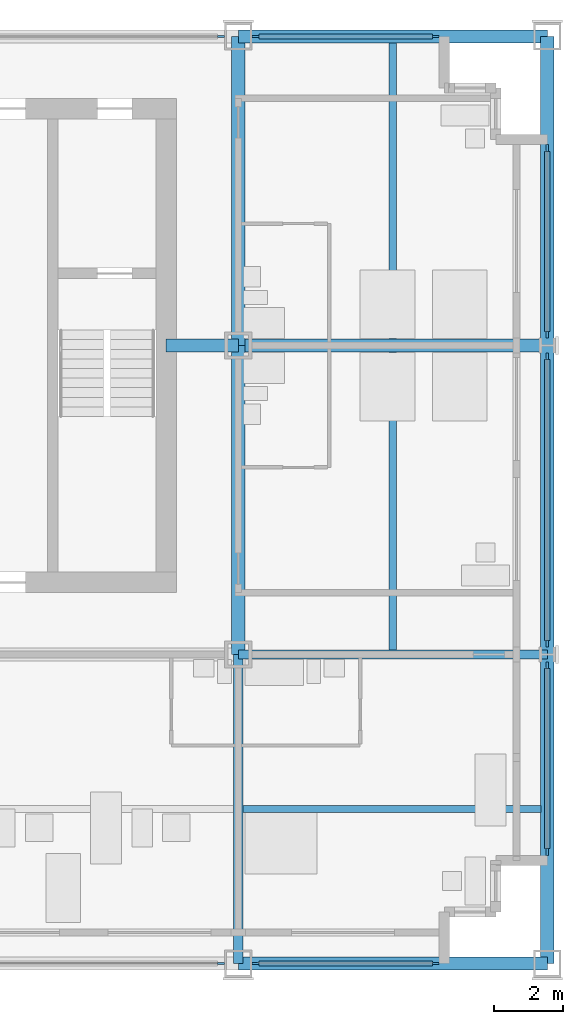
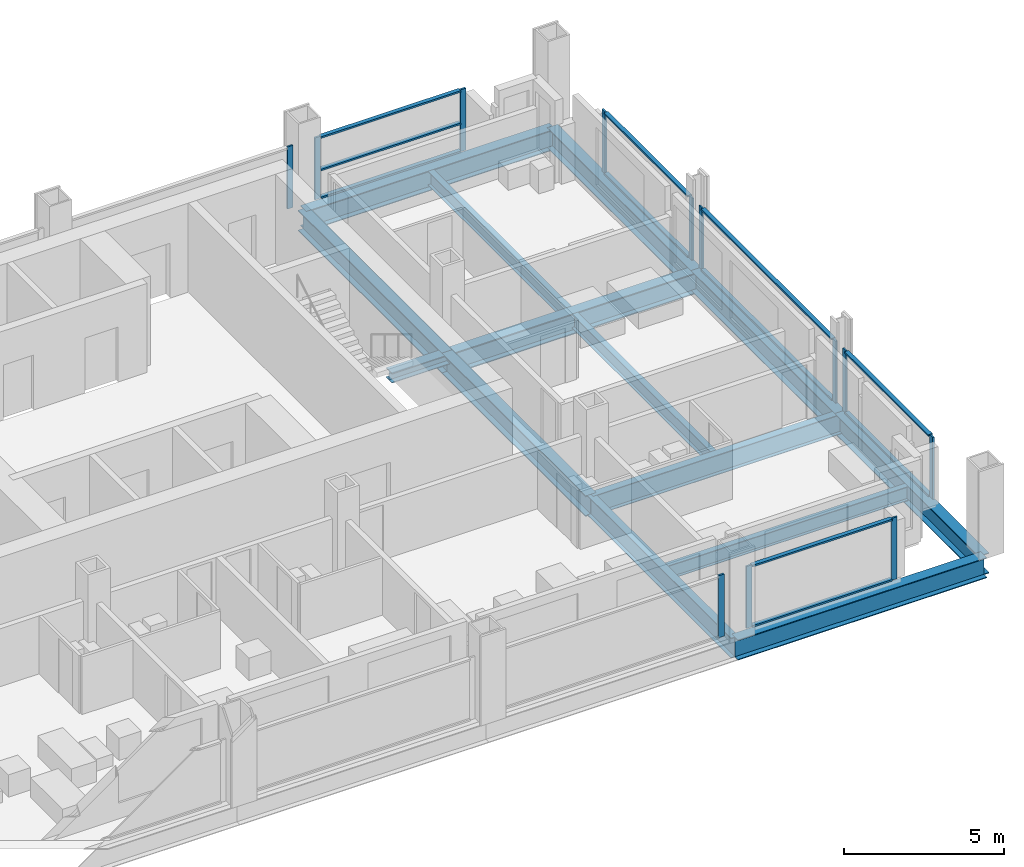
# One storey, part 5 of 13: 24 members, 13 beams, 7 elements without a shape of their own.
"""IFC4 building model written with IfcOpenShell, lengths in metres."""

from ifc_helpers import new_model, si_unit, direction, frame, origin, origin_2d, place, context, subcontext, project, spatial, rectangle, i_section, extrude, material, material_profile, profile_set, type_object, element, aggregate, save


model = new_model("IFC4")

# Units and contexts
model_context = context("Model", 3, precision=1e-05, world=origin(), true_north=direction((0.0, 1.0)))
body_context = subcontext(model_context, "Body", "Model", "MODEL_VIEW")
ifc_project = project(units=[si_unit("LENGTHUNIT", "METRE"), si_unit("AREAUNIT", "SQUARE_METRE"), si_unit("VOLUMEUNIT", "CUBIC_METRE"), si_unit("PLANEANGLEUNIT", "RADIAN"), si_unit("MASSUNIT", "GRAM", prefix="KILO")], contexts=[model_context])

# Site, building, storey
site_placement = place(None, origin())
site = spatial("IfcSite", under=ifc_project, at=site_placement, CompositionType="ELEMENT")
building_placement = place(site_placement, origin())
building = spatial("IfcBuilding", under=site, at=building_placement, Name="Loomwork Tower", CompositionType="ELEMENT")
storey_placement = place(building_placement, frame((0.0, 0.0, 218.199951171875)))
storey = spatial("IfcBuildingStorey", under=building, at=storey_placement, Name="L60", CompositionType="ELEMENT", Elevation=218.199951171875)

# Beams
ifc_material_1 = material(Name="Steel ASTM A992", Category="steel")
ifc_material_profile_1 = material_profile(ifc_material_1, i_section(OverallWidth=0.383544921875, OverallDepth=0.794921875, WebThickness=0.02099609375, FlangeThickness=0.0380859375, at=origin_2d()), Name="W30x235")
ifc_profile_set_1 = profile_set([ifc_material_profile_1], Name="Steel ASTM A992")
beam_type_1 = type_object("IfcBeamType", Name="CORE FLANK GIRDER W30x235", PredefinedType="BEAM", material=ifc_profile_set_1)
for number, where, z_axis, x_axis, name in (
    (1, (36.0, 18.0, -0.597412109375), (1.0, 0.0, 0.0), (0.0, 1.0, 0.0), "Core Flank Girder F/6-F/7 L60"),
    (2, (36.0, 9.0, -0.597412109375), (0.0, 1.0, 0.0), (-1.0, 0.0, 0.0), "Core Flank Girder E/6-F/6 L60"),
    (3, (36.0, 18.0, -0.597412109375), (0.0, 1.0, 0.0), (-1.0, 0.0, 0.0), "Core Flank Girder F/6-G/6 L60"),
):
    element("IfcBeam", number, at=place(storey_placement, frame(where, z_axis=z_axis, x_axis=x_axis)), inside=storey, type_object=beam_type_1, Name=name, PredefinedType="BEAM", context=body_context, shape_type="SweptSolid", body=[
        extrude(i_section(OverallWidth=0.383544921875, OverallDepth=0.794921875, WebThickness=0.02099609375, FlangeThickness=0.0380859375, at=origin_2d()), origin(), (0.0, 0.0, 1.0), 9.0),
    ])

# Member
ifc_material_2 = material(Name="Steel ASTM A992", Category="steel")
ifc_material_profile_2 = material_profile(ifc_material_2, i_section(OverallWidth=0.373291015625, OverallDepth=0.373291015625, WebThickness=0.016357421875, FlangeThickness=0.026123046875, at=origin_2d()), Name="W14x132")
ifc_profile_set_2 = profile_set([ifc_material_profile_2], Name="Steel ASTM A992")
member_type_1 = type_object("IfcMemberType", Name="CORE LINK STRUT W14x132", PredefinedType="STRUT", material=ifc_profile_set_2)
member_1_placement = place(storey_placement, frame((36.0, 18.0, -0.38671875), z_axis=(-1.0, 0.0, 0.0), x_axis=(0.0, -1.0, 0.0)))
element("IfcMember", 4, at=member_1_placement, inside=storey, type_object=member_type_1, Name="Core link strut F/6-33.900,18.000 L60", PredefinedType="STRUT", context=body_context, shape_type="SweptSolid", body=[
    extrude(i_section(OverallWidth=0.373291015625, OverallDepth=0.373291015625, WebThickness=0.016357421875, FlangeThickness=0.026123046875, at=origin_2d()), origin(), (0.0, 0.0, 1.0), 2.10009765625),
])

# Beams
ifc_material_3 = material(Name="Steel ASTM A992", Category="steel")
ifc_material_profile_3 = material_profile(ifc_material_3, i_section(OverallWidth=0.2666015625, OverallDepth=0.761962890625, WebThickness=0.014404296875, FlangeThickness=0.021484375, at=origin_2d()), Name="W30x116")
ifc_profile_set_3 = profile_set([ifc_material_profile_3], Name="Steel ASTM A992")
beam_type_2 = type_object("IfcBeamType", Name="FLOOR GIRDER W30x116", PredefinedType="BEAM", material=ifc_profile_set_3)
for number, where, z_axis, x_axis, name in (
    (5, (36.0, 9.0, -0.5810546875), (1.0, 0.0, 0.0), (0.0, 1.0, 0.0), "Floor Girder E/6-E/7 L60"),
    (6, (36.0, 0.0, -0.5810546875), (0.0, 1.0, 0.0), (-1.0, 0.0, 0.0), "Floor Girder D/6-E/6 L60"),
):
    element("IfcBeam", number, at=place(storey_placement, frame(where, z_axis=z_axis, x_axis=x_axis)), inside=storey, type_object=beam_type_2, Name=name, PredefinedType="BEAM", context=body_context, shape_type="SweptSolid", body=[
        extrude(i_section(OverallWidth=0.2666015625, OverallDepth=0.761962890625, WebThickness=0.014404296875, FlangeThickness=0.021484375, at=origin_2d()), origin(), (0.0, 0.0, 1.0), 9.0),
    ])
ifc_material_4 = material(Name="Steel ASTM A992", Category="steel")
ifc_material_profile_4 = material_profile(ifc_material_4, i_section(OverallWidth=0.2109375, OverallDepth=0.53857421875, WebThickness=0.011474609375, FlangeThickness=0.018798828125, at=origin_2d()), Name="W21x73")
ifc_profile_set_4 = profile_set([ifc_material_profile_4], Name="Steel ASTM A992")
beam_type_3 = type_object("IfcBeamType", Name="FLOOR JOIST W21x73", PredefinedType="JOIST", material=ifc_profile_set_4)
beam_1_placement = place(storey_placement, frame((36.133056640625, 4.5, -0.46923828125), z_axis=(1.0, 0.0, 0.0), x_axis=(0.0, 1.0, 0.0)))
element("IfcBeam", 7, at=beam_1_placement, inside=storey, type_object=beam_type_3, Name="Floor Joist 36.000,4.500-45.000,4.500 L60", PredefinedType="JOIST", context=body_context, shape_type="SweptSolid", body=[
    extrude(i_section(OverallWidth=0.2109375, OverallDepth=0.53857421875, WebThickness=0.011474609375, FlangeThickness=0.018798828125, at=origin_2d()), origin(), (0.0, 0.0, 1.0), 8.677001953125),
])
beam_2_placement = place(storey_placement, frame((40.5, 9.133056640625, -0.46923828125), z_axis=(0.0, 1.0, 0.0), x_axis=(-1.0, 0.0, 0.0)))
element("IfcBeam", 8, at=beam_2_placement, inside=storey, type_object=beam_type_3, Name="Floor Joist 40.500,9.000-40.500,18.000 L60", PredefinedType="JOIST", context=body_context, shape_type="SweptSolid", body=[
    extrude(i_section(OverallWidth=0.2109375, OverallDepth=0.53857421875, WebThickness=0.011474609375, FlangeThickness=0.018798828125, at=origin_2d()), origin(), (0.0, 0.0, 1.0), 8.676025390625),
])
beam_3_placement = place(storey_placement, frame((40.5, 18.19091796875, -0.46923828125), z_axis=(0.0, 1.0, 0.0), x_axis=(-1.0, 0.0, 0.0)))
element("IfcBeam", 9, at=beam_3_placement, inside=storey, type_object=beam_type_3, Name="Floor Joist 40.500,18.000-40.500,27.000 L60", PredefinedType="JOIST", context=body_context, shape_type="SweptSolid", body=[
    extrude(i_section(OverallWidth=0.2109375, OverallDepth=0.53857421875, WebThickness=0.011474609375, FlangeThickness=0.018798828125, at=origin_2d()), origin(), (0.0, 0.0, 1.0), 8.619140625),
])

# Curtain wall, member
ifc_material_5 = material(Name="Aluminium curtain wall frame", Category="aluminium")
curtain_wall_type_1 = type_object("IfcCurtainWallType", Name="Outer skin glazing hotel", PredefinedType="NOTDEFINED", material=ifc_material_5)
curtain_wall_1_placement = place(storey_placement, origin())
curtain_wall_1 = element("IfcCurtainWall", 10, at=curtain_wall_1_placement, inside=storey, type_object=curtain_wall_type_1, Name="Outer skin glazing hotel cw/S-27", PredefinedType="NOTDEFINED")
ifc_material_6 = material(Name="Aluminium curtain wall frame", Category="aluminium")
ifc_material_profile_5 = material_profile(ifc_material_6, rectangle(XDim=0.06494140625, YDim=0.199951171875, at=origin_2d()), Name="AL 65x200")
ifc_profile_set_5 = profile_set([ifc_material_profile_5], Name="Aluminium curtain wall frame")
member_type_2 = type_object("IfcMemberType", Name="Outer skin glazing hotel mullion", PredefinedType="MULLION", material=ifc_profile_set_5)
member_2_placement = place(storey_placement, frame((35.5, 0.0, 0.0), z_axis=(0.0, 0.0, 1.0), x_axis=(0.0, 1.0, 0.0)))
member_2 = element("IfcMember", 11, at=member_2_placement, type_object=member_type_2, Name="CW1 mullion 2", PredefinedType="MULLION", context=body_context, shape_type="SweptSolid", body=[
    extrude(rectangle(XDim=0.06494140625, YDim=0.199951171875, at=origin_2d()), origin(), (0.0, 0.0, 1.0), 2.370361328125),
])
aggregate(curtain_wall_1, [member_2])

# Curtain wall, members
curtain_wall_2_placement = place(storey_placement, origin())
curtain_wall_2 = element("IfcCurtainWall", 12, at=curtain_wall_2_placement, inside=storey, type_object=curtain_wall_type_1, Name="Outer skin glazing hotel cw/S-36", PredefinedType="NOTDEFINED")
member_3_placement = place(storey_placement, frame((36.5, 0.0, 0.0), z_axis=(0.0, 0.0, 1.0), x_axis=(0.0, 1.0, 0.0)))
member_3 = element("IfcMember", 13, at=member_3_placement, type_object=member_type_2, Name="CW1 mullion 1", PredefinedType="MULLION", context=body_context, shape_type="SweptSolid", body=[
    extrude(rectangle(XDim=0.06494140625, YDim=0.199951171875, at=origin_2d()), origin(), (0.0, 0.0, 1.0), 2.370361328125),
])
member_4_placement = place(storey_placement, frame((41.75, 0.0, 0.0), z_axis=(0.0, 0.0, 1.0), x_axis=(0.0, 1.0, 0.0)))
member_4 = element("IfcMember", 14, at=member_4_placement, type_object=member_type_2, Name="CW1 mullion 2", PredefinedType="MULLION", context=body_context, shape_type="SweptSolid", body=[
    extrude(rectangle(XDim=0.06494140625, YDim=0.199951171875, at=origin_2d()), origin(), (0.0, 0.0, 1.0), 2.370361328125),
])

curtain_wall_3_placement = place(storey_placement, origin())
curtain_wall_3 = element("IfcCurtainWall", 15, at=curtain_wall_3_placement, inside=storey, type_object=curtain_wall_type_1, Name="Outer skin glazing hotel cw/E-0", PredefinedType="NOTDEFINED")
member_5_placement = place(storey_placement, frame((45.0, 3.25, 0.0), z_axis=(0.0, 0.0, 1.0), x_axis=(-1.0, 0.0, 0.0)))
member_5 = element("IfcMember", 16, at=member_5_placement, type_object=member_type_2, Name="CW1 mullion 1", PredefinedType="MULLION", context=body_context, shape_type="SweptSolid", body=[
    extrude(rectangle(XDim=0.06494140625, YDim=0.199951171875, at=origin_2d()), origin(), (0.0, 0.0, 1.0), 2.370361328125),
])
member_6_placement = place(storey_placement, frame((45.0, 8.6865234375, 0.0), z_axis=(0.0, 0.0, 1.0), x_axis=(-1.0, 0.0, 0.0)))
member_6 = element("IfcMember", 17, at=member_6_placement, type_object=member_type_2, Name="CW1 mullion 2", PredefinedType="MULLION", context=body_context, shape_type="SweptSolid", body=[
    extrude(rectangle(XDim=0.06494140625, YDim=0.199951171875, at=origin_2d()), origin(), (0.0, 0.0, 1.0), 2.370361328125),
])

curtain_wall_4_placement = place(storey_placement, origin())
curtain_wall_4 = element("IfcCurtainWall", 18, at=curtain_wall_4_placement, inside=storey, type_object=curtain_wall_type_1, Name="Outer skin glazing hotel cw/E-9", PredefinedType="NOTDEFINED")
member_7_placement = place(storey_placement, frame((45.0, 9.3134765625, 0.0), z_axis=(0.0, 0.0, 1.0), x_axis=(-1.0, 0.0, 0.0)))
member_7 = element("IfcMember", 19, at=member_7_placement, type_object=member_type_2, Name="CW1 mullion 1", PredefinedType="MULLION", context=body_context, shape_type="SweptSolid", body=[
    extrude(rectangle(XDim=0.06494140625, YDim=0.199951171875, at=origin_2d()), origin(), (0.0, 0.0, 1.0), 2.370361328125),
])
member_8_placement = place(storey_placement, frame((45.0, 17.6865234375, 0.0), z_axis=(0.0, 0.0, 1.0), x_axis=(-1.0, 0.0, 0.0)))
member_8 = element("IfcMember", 20, at=member_8_placement, type_object=member_type_2, Name="CW1 mullion 2", PredefinedType="MULLION", context=body_context, shape_type="SweptSolid", body=[
    extrude(rectangle(XDim=0.06494140625, YDim=0.199951171875, at=origin_2d()), origin(), (0.0, 0.0, 1.0), 2.370361328125),
])

curtain_wall_5_placement = place(storey_placement, origin())
curtain_wall_5 = element("IfcCurtainWall", 21, at=curtain_wall_5_placement, inside=storey, type_object=curtain_wall_type_1, Name="Outer skin glazing hotel cw/E-18", PredefinedType="NOTDEFINED")
member_9_placement = place(storey_placement, frame((45.0, 18.3134765625, 0.0), z_axis=(0.0, 0.0, 1.0), x_axis=(-1.0, 0.0, 0.0)))
member_9 = element("IfcMember", 22, at=member_9_placement, type_object=member_type_2, Name="CW1 mullion 1", PredefinedType="MULLION", context=body_context, shape_type="SweptSolid", body=[
    extrude(rectangle(XDim=0.06494140625, YDim=0.199951171875, at=origin_2d()), origin(), (0.0, 0.0, 1.0), 2.370361328125),
])
member_10_placement = place(storey_placement, frame((45.0, 23.75, 0.0), z_axis=(0.0, 0.0, 1.0), x_axis=(-1.0, 0.0, 0.0)))
member_10 = element("IfcMember", 23, at=member_10_placement, type_object=member_type_2, Name="CW1 mullion 2", PredefinedType="MULLION", context=body_context, shape_type="SweptSolid", body=[
    extrude(rectangle(XDim=0.06494140625, YDim=0.199951171875, at=origin_2d()), origin(), (0.0, 0.0, 1.0), 2.370361328125),
])

# Member
ifc_material_7 = material(Name="Aluminium curtain wall frame", Category="aluminium")
ifc_material_profile_6 = material_profile(ifc_material_7, rectangle(XDim=0.14990234375, YDim=0.06494140625, at=origin_2d()), Name="AL 65x150")
ifc_profile_set_6 = profile_set([ifc_material_profile_6], Name="Aluminium curtain wall frame")
member_type_3 = type_object("IfcMemberType", Name="Outer skin glazing hotel transom", PredefinedType="USERDEFINED", material=ifc_profile_set_6)
member_11_placement = place(storey_placement, frame((36.60009765625, 0.0, 0.032470703125), z_axis=(1.0, 0.0, 0.0), x_axis=(0.0, 1.0, 0.0)))
member_11 = element("IfcMember", 24, at=member_11_placement, type_object=member_type_3, Name="CW1 transom 1.1", ObjectType="TRANSOM", PredefinedType="USERDEFINED", context=body_context, shape_type="SweptSolid", body=[
    extrude(rectangle(XDim=0.14990234375, YDim=0.06494140625, at=origin_2d()), origin(), (0.0, 0.0, 1.0), 5.0498046875),
])

member_12_placement = place(storey_placement, frame((36.60009765625, 0.0, 2.337646484375), z_axis=(1.0, 0.0, 0.0), x_axis=(0.0, 1.0, 0.0)))
member_12 = element("IfcMember", 25, at=member_12_placement, type_object=member_type_3, Name="CW1 transom 1.2", ObjectType="TRANSOM", PredefinedType="USERDEFINED", context=body_context, shape_type="SweptSolid", body=[
    extrude(rectangle(XDim=0.14990234375, YDim=0.06494140625, at=origin_2d()), origin(), (0.0, 0.0, 1.0), 5.0498046875),
])

aggregate(curtain_wall_2, [member_3, member_4, member_11, member_12])

member_13_placement = place(storey_placement, frame((45.0, 3.35009765625, 0.032470703125), z_axis=(0.0, 1.0, 0.0), x_axis=(-1.0, 0.0, 0.0)))
member_13 = element("IfcMember", 26, at=member_13_placement, type_object=member_type_3, Name="CW1 transom 1.1", ObjectType="TRANSOM", PredefinedType="USERDEFINED", context=body_context, shape_type="SweptSolid", body=[
    extrude(rectangle(XDim=0.14990234375, YDim=0.06494140625, at=origin_2d()), origin(), (0.0, 0.0, 1.0), 5.236572265625),
])

member_14_placement = place(storey_placement, frame((45.0, 3.35009765625, 2.337646484375), z_axis=(0.0, 1.0, 0.0), x_axis=(-1.0, 0.0, 0.0)))
member_14 = element("IfcMember", 27, at=member_14_placement, type_object=member_type_3, Name="CW1 transom 1.2", ObjectType="TRANSOM", PredefinedType="USERDEFINED", context=body_context, shape_type="SweptSolid", body=[
    extrude(rectangle(XDim=0.14990234375, YDim=0.06494140625, at=origin_2d()), origin(), (0.0, 0.0, 1.0), 5.236572265625),
])

aggregate(curtain_wall_3, [member_5, member_6, member_13, member_14])

member_15_placement = place(storey_placement, frame((45.0, 9.413330078125, 0.032470703125), z_axis=(0.0, 1.0, 0.0), x_axis=(-1.0, 0.0, 0.0)))
member_15 = element("IfcMember", 28, at=member_15_placement, type_object=member_type_3, Name="CW1 transom 1.1", ObjectType="TRANSOM", PredefinedType="USERDEFINED", context=body_context, shape_type="SweptSolid", body=[
    extrude(rectangle(XDim=0.14990234375, YDim=0.06494140625, at=origin_2d()), origin(), (0.0, 0.0, 1.0), 8.17333984375),
])

member_16_placement = place(storey_placement, frame((45.0, 9.413330078125, 2.337646484375), z_axis=(0.0, 1.0, 0.0), x_axis=(-1.0, 0.0, 0.0)))
member_16 = element("IfcMember", 29, at=member_16_placement, type_object=member_type_3, Name="CW1 transom 1.2", ObjectType="TRANSOM", PredefinedType="USERDEFINED", context=body_context, shape_type="SweptSolid", body=[
    extrude(rectangle(XDim=0.14990234375, YDim=0.06494140625, at=origin_2d()), origin(), (0.0, 0.0, 1.0), 8.17333984375),
])

aggregate(curtain_wall_4, [member_7, member_8, member_15, member_16])

member_17_placement = place(storey_placement, frame((45.0, 18.413330078125, 0.032470703125), z_axis=(0.0, 1.0, 0.0), x_axis=(-1.0, 0.0, 0.0)))
member_17 = element("IfcMember", 30, at=member_17_placement, type_object=member_type_3, Name="CW1 transom 1.1", ObjectType="TRANSOM", PredefinedType="USERDEFINED", context=body_context, shape_type="SweptSolid", body=[
    extrude(rectangle(XDim=0.14990234375, YDim=0.06494140625, at=origin_2d()), origin(), (0.0, 0.0, 1.0), 5.236572265625),
])

member_18_placement = place(storey_placement, frame((45.0, 18.413330078125, 2.337646484375), z_axis=(0.0, 1.0, 0.0), x_axis=(-1.0, 0.0, 0.0)))
member_18 = element("IfcMember", 31, at=member_18_placement, type_object=member_type_3, Name="CW1 transom 1.2", ObjectType="TRANSOM", PredefinedType="USERDEFINED", context=body_context, shape_type="SweptSolid", body=[
    extrude(rectangle(XDim=0.14990234375, YDim=0.06494140625, at=origin_2d()), origin(), (0.0, 0.0, 1.0), 5.236572265625),
])

aggregate(curtain_wall_5, [member_9, member_10, member_17, member_18])

# Beams
ifc_material_8 = material(Name="Steel ASTM A992", Category="steel")
ifc_material_profile_7 = material_profile(ifc_material_8, i_section(OverallWidth=0.381103515625, OverallDepth=0.77978515625, WebThickness=0.01806640625, FlangeThickness=0.0302734375, at=origin_2d()), Name="W30x191")
ifc_profile_set_7 = profile_set([ifc_material_profile_7], Name="Steel ASTM A992")
beam_type_4 = type_object("IfcBeamType", Name="SPANDREL GIRDER W30x191", PredefinedType="SPANDREL", material=ifc_profile_set_7)
for number, where, z_axis, x_axis, name in (
    (32, (36.0, 0.0, -0.58984375), (1.0, 0.0, 0.0), (0.0, 1.0, 0.0), "Spandrel Girder D/6-D/7 L60"),
    (33, (36.0, 27.0, -0.58984375), (1.0, 0.0, 0.0), (0.0, 1.0, 0.0), "Spandrel Girder G/6-G/7 L60"),
    (34, (45.0, 0.0, -0.58984375), (0.0, 1.0, 0.0), (-1.0, 0.0, 0.0), "Spandrel Girder D/7-E/7 L60"),
    (35, (45.0, 9.0, -0.58984375), (0.0, 1.0, 0.0), (-1.0, 0.0, 0.0), "Spandrel Girder E/7-F/7 L60"),
    (36, (45.0, 18.0, -0.58984375), (0.0, 1.0, 0.0), (-1.0, 0.0, 0.0), "Spandrel Girder F/7-G/7 L60"),
):
    element("IfcBeam", number, at=place(storey_placement, frame(where, z_axis=z_axis, x_axis=x_axis)), inside=storey, type_object=beam_type_4, Name=name, PredefinedType="SPANDREL", context=body_context, shape_type="SweptSolid", body=[
        extrude(i_section(OverallWidth=0.381103515625, OverallDepth=0.77978515625, WebThickness=0.01806640625, FlangeThickness=0.0302734375, at=origin_2d()), origin(), (0.0, 0.0, 1.0), 9.0),
    ])

# Curtain wall, member
ifc_material_9 = material(Name="Aluminium curtain wall frame", Category="aluminium")
curtain_wall_type_2 = type_object("IfcCurtainWallType", Name="Single skin glazing corridor", PredefinedType="NOTDEFINED", material=ifc_material_9)
curtain_wall_6_placement = place(storey_placement, origin())
curtain_wall_6 = element("IfcCurtainWall", 37, at=curtain_wall_6_placement, inside=storey, type_object=curtain_wall_type_2, Name="Single skin glazing corridor cw/N-27", PredefinedType="NOTDEFINED")
ifc_material_10 = material(Name="Aluminium curtain wall frame", Category="aluminium")
ifc_material_profile_8 = material_profile(ifc_material_10, rectangle(XDim=0.06494140625, YDim=0.199951171875, at=origin_2d()), Name="AL 65x200")
ifc_profile_set_8 = profile_set([ifc_material_profile_8], Name="Aluminium curtain wall frame")
member_type_4 = type_object("IfcMemberType", Name="Single skin glazing corridor mullion", PredefinedType="MULLION", material=ifc_profile_set_8)
member_19_placement = place(storey_placement, frame((35.5, 27.0, 0.0), z_axis=(0.0, 0.0, 1.0), x_axis=(0.0, -1.0, 0.0)))
member_19 = element("IfcMember", 38, at=member_19_placement, type_object=member_type_4, Name="CW3 mullion 1", PredefinedType="MULLION", context=body_context, shape_type="SweptSolid", body=[
    extrude(rectangle(XDim=0.06494140625, YDim=0.199951171875, at=origin_2d()), origin(), (0.0, 0.0, 1.0), 2.370361328125),
])
aggregate(curtain_wall_6, [member_19])

# Curtain wall, members
curtain_wall_7_placement = place(storey_placement, origin())
curtain_wall_7 = element("IfcCurtainWall", 39, at=curtain_wall_7_placement, inside=storey, type_object=curtain_wall_type_2, Name="Single skin glazing corridor cw/N-36", PredefinedType="NOTDEFINED")
member_20_placement = place(storey_placement, frame((41.75, 27.0, 0.0), z_axis=(0.0, 0.0, 1.0), x_axis=(0.0, -1.0, 0.0)))
member_20 = element("IfcMember", 40, at=member_20_placement, type_object=member_type_4, Name="CW3 mullion 1", PredefinedType="MULLION", context=body_context, shape_type="SweptSolid", body=[
    extrude(rectangle(XDim=0.06494140625, YDim=0.199951171875, at=origin_2d()), origin(), (0.0, 0.0, 1.0), 2.370361328125),
])
member_21_placement = place(storey_placement, frame((36.5, 27.0, 0.0), z_axis=(0.0, 0.0, 1.0), x_axis=(0.0, -1.0, 0.0)))
member_21 = element("IfcMember", 41, at=member_21_placement, type_object=member_type_4, Name="CW3 mullion 2", PredefinedType="MULLION", context=body_context, shape_type="SweptSolid", body=[
    extrude(rectangle(XDim=0.06494140625, YDim=0.199951171875, at=origin_2d()), origin(), (0.0, 0.0, 1.0), 2.370361328125),
])
ifc_material_11 = material(Name="Aluminium curtain wall frame", Category="aluminium")
ifc_material_profile_9 = material_profile(ifc_material_11, rectangle(XDim=0.14990234375, YDim=0.06494140625, at=origin_2d()), Name="AL 65x150")
ifc_profile_set_9 = profile_set([ifc_material_profile_9], Name="Aluminium curtain wall frame")
member_type_5 = type_object("IfcMemberType", Name="Single skin glazing corridor transom", PredefinedType="USERDEFINED", material=ifc_profile_set_9)
member_22_placement = place(storey_placement, frame((41.64990234375, 27.0, 0.032470703125), z_axis=(-1.0, 0.0, 0.0), x_axis=(0.0, -1.0, 0.0)))
member_22 = element("IfcMember", 42, at=member_22_placement, type_object=member_type_5, Name="CW3 transom 1.1", ObjectType="TRANSOM", PredefinedType="USERDEFINED", context=body_context, shape_type="SweptSolid", body=[
    extrude(rectangle(XDim=0.14990234375, YDim=0.06494140625, at=origin_2d()), origin(), (0.0, 0.0, 1.0), 5.0498046875),
])
member_23_placement = place(storey_placement, frame((41.64990234375, 27.0, 1.10009765625), z_axis=(-1.0, 0.0, 0.0), x_axis=(0.0, -1.0, 0.0)))
member_23 = element("IfcMember", 43, at=member_23_placement, type_object=member_type_5, Name="CW3 transom 1.2", ObjectType="TRANSOM", PredefinedType="USERDEFINED", context=body_context, shape_type="SweptSolid", body=[
    extrude(rectangle(XDim=0.14990234375, YDim=0.06494140625, at=origin_2d()), origin(), (0.0, 0.0, 1.0), 5.0498046875),
])
member_24_placement = place(storey_placement, frame((41.64990234375, 27.0, 2.337646484375), z_axis=(-1.0, 0.0, 0.0), x_axis=(0.0, -1.0, 0.0)))
member_24 = element("IfcMember", 44, at=member_24_placement, type_object=member_type_5, Name="CW3 transom 1.3", ObjectType="TRANSOM", PredefinedType="USERDEFINED", context=body_context, shape_type="SweptSolid", body=[
    extrude(rectangle(XDim=0.14990234375, YDim=0.06494140625, at=origin_2d()), origin(), (0.0, 0.0, 1.0), 5.0498046875),
])
aggregate(curtain_wall_7, [member_20, member_21, member_22, member_23, member_24])

save(model, "model.ifc")
